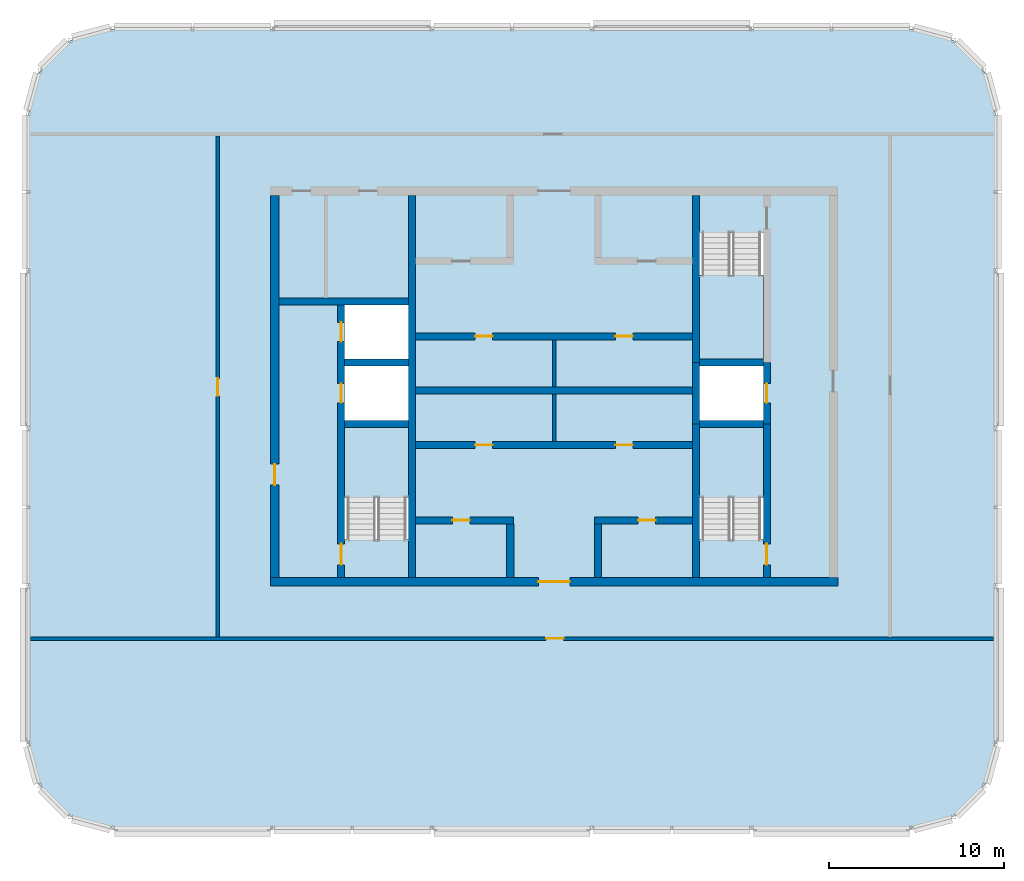
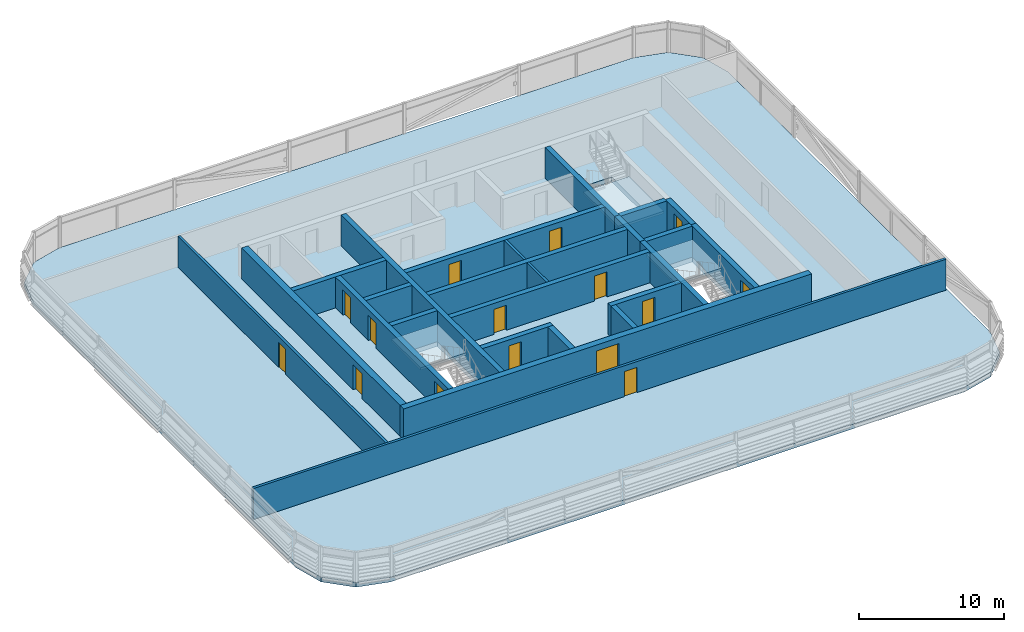
# One storey, part 15 of 27: 25 walls, 15 doors, 4 slabs, 15 openings, 3 elements without a shape of their own.
"""IFC4 building model written with IfcOpenShell, lengths in metres."""

import ifcopenshell
import ifcopenshell.guid

model = None  # the IFC model being written
_history = None  # IfcOwnerHistory: only IFC2X3 demands one
_inside = {}  # id of a spatial element -> (the spatial element, [elements in it])
_under = {}  # id of a project, library or spatial element -> (it, [spatial elements below it])
_declared = {}  # id of a project -> (the project, [libraries it declares])
_typed = {}  # id of a type object -> (the type object, [elements of that type])
_made_of = {}  # id of a material, layer set ... -> (it, [elements and type objects made of it])


def new_model(schema):
    """Start an empty IFC model of exactly this schema.

    Asked for "IFC4X3", IfcOpenShell would pick the latest addendum, in which some entities
    have other attributes; the version numbers below select the first issue.
    IFC2X3 requires an IfcOwnerHistory on every rooted entity: one is made here for all.
    """
    global model, _history
    if schema == "IFC4X3":
        model = ifcopenshell.file(schema_version=(4, 3, 0, 0))
    else:
        model = ifcopenshell.file(schema=schema)
    _inside.clear()
    _under.clear()
    _declared.clear()
    _typed.clear()
    _made_of.clear()
    _history = None
    if model.schema == "IFC2X3":
        org = make("IfcOrganization", Name="unknown")
        user = make(
            "IfcPersonAndOrganization",
            ThePerson=make("IfcPerson", FamilyName="unknown"),
            TheOrganization=org,
        )
        app = make(
            "IfcApplication",
            ApplicationDeveloper=org,
            Version="unknown",
            ApplicationFullName="unknown",
            ApplicationIdentifier="unknown",
        )
        _history = make(
            "IfcOwnerHistory",
            OwningUser=user,
            OwningApplication=app,
            ChangeAction="ADDED",
            CreationDate=0,
        )
    return model


def make(cls, **values):
    """One entity of the class cls with the attributes given. An attribute that is None is left unset."""
    return model.create_entity(
        cls, **{name: value for name, value in values.items() if value is not None}
    )


def rooted(cls, **values):
    """An entity with a GlobalId (a new one), such as an element, a storey or a relation."""
    return make(cls, GlobalId=ifcopenshell.guid.new(), OwnerHistory=_history, **values)


def si_unit(unit_type, name, prefix=None):
    """IfcSIUnit, for example si_unit("LENGTHUNIT", "METRE", prefix="MILLI")."""
    return make("IfcSIUnit", UnitType=unit_type, Prefix=prefix, Name=name)


def assignment(units):
    """IfcUnitAssignment: the units of a project."""
    return None if units is None else make("IfcUnitAssignment", Units=units)


def point(xyz):
    """IfcCartesianPoint."""
    return None if xyz is None else make("IfcCartesianPoint", Coordinates=xyz)


def direction(xyz):
    """IfcDirection."""
    return None if xyz is None else make("IfcDirection", DirectionRatios=xyz)


def frame(location, z_axis=None, x_axis=None):
    """IfcAxis2Placement3D, a coordinate frame: its origin and axes. An axis left out is left unset."""
    return make(
        "IfcAxis2Placement3D",
        Location=point(location),
        Axis=direction(z_axis),
        RefDirection=direction(x_axis),
    )


def frame_2d(location, x_axis=None):
    """IfcAxis2Placement2D, a coordinate frame in the plane: its origin and x axis."""
    return make(
        "IfcAxis2Placement2D", Location=point(location), RefDirection=direction(x_axis)
    )


def origin():
    """The frame at (0, 0, 0) with its axes left unset."""
    return frame((0.0, 0.0, 0.0))


def place(relative_to, where):
    """IfcLocalPlacement: puts the frame where relative to a parent placement (None: the world)."""
    return make(
        "IfcLocalPlacement", PlacementRelTo=relative_to, RelativePlacement=where
    )


def context(
    kind, dimensions, precision=None, world=None, true_north=None, identifier=None
):
    """IfcGeometricRepresentationContext, for example the 3D "Model" context."""
    return make(
        "IfcGeometricRepresentationContext",
        ContextIdentifier=identifier,
        ContextType=kind,
        CoordinateSpaceDimension=dimensions,
        Precision=precision,
        WorldCoordinateSystem=world,
        TrueNorth=true_north,
    )


def subcontext(parent, identifier, kind, view, scale=None):
    """IfcGeometricRepresentationSubContext, for example "Body" below "Model"."""
    return make(
        "IfcGeometricRepresentationSubContext",
        ContextIdentifier=identifier,
        ContextType=kind,
        ParentContext=parent,
        TargetScale=scale,
        TargetView=view,
    )


def project(units=None, contexts=None):
    """IfcProject with its units and contexts."""
    return rooted(
        "IfcProject",
        Name="project",
        RepresentationContexts=contexts,
        UnitsInContext=assignment(units),
    )


def spatial(cls, under=None, at=None, **own):
    """A site, building, storey or space (cls), placed at a placement, below another one or the project."""
    s = rooted(cls, ObjectPlacement=at, **own)
    if under is not None:
        _under.setdefault(under.id(), (under, []))[1].append(s)
    return s


def polyline(points):
    """IfcPolyline through the points."""
    return make("IfcPolyline", Points=[point(p) for p in points])


def profile(cls, at=None, kind="AREA", **sizes):
    """A parametric profile (cls). Its sizes go by their IFC names, for example OverallWidth=200.0."""
    return make(cls, ProfileType=kind, Position=at, **sizes)


def rectangle(**sizes):
    """IfcRectangleProfileDef."""
    return profile("IfcRectangleProfileDef", **sizes)


def outline(outer, holes=None, kind="AREA"):
    """IfcArbitraryClosedProfileDef: a profile drawn as a closed curve; with holes, ...WithVoids."""
    if holes is None:
        return make("IfcArbitraryClosedProfileDef", ProfileType=kind, OuterCurve=outer)
    return make(
        "IfcArbitraryProfileDefWithVoids",
        ProfileType=kind,
        OuterCurve=outer,
        InnerCurves=holes,
    )


def extrude(swept, where, along, depth):
    """IfcExtrudedAreaSolid: the profile swept, set in the frame where, extruded along a direction by depth."""
    return make(
        "IfcExtrudedAreaSolid",
        SweptArea=swept,
        Position=where,
        ExtrudedDirection=direction(along),
        Depth=depth,
    )


def shape(context_of_items, identifier, shape_type, items):
    """IfcShapeRepresentation: the items that make up one representation, for example the "Body"."""
    return make(
        "IfcShapeRepresentation",
        ContextOfItems=context_of_items,
        RepresentationIdentifier=identifier,
        RepresentationType=shape_type,
        Items=items,
    )


def material(Name=None, Category=None):
    """IfcMaterial."""
    return make("IfcMaterial", Name=Name, Category=Category)


def layer(
    of_material, thickness, ventilated=None, Name=None, Category=None, Priority=None
):
    """IfcMaterialLayer: one layer of a wall or slab, of a material (None: an air gap)."""
    return make(
        "IfcMaterialLayer",
        Material=of_material,
        LayerThickness=thickness,
        IsVentilated=ventilated,
        Name=Name,
        Category=Category,
        Priority=Priority,
    )


def layer_set(layers, Name=None):
    """IfcMaterialLayerSet."""
    return make("IfcMaterialLayerSet", MaterialLayers=layers, LayerSetName=Name)


def made_of(thing, what):
    """Note that an element or type object is made of a material, layer set ...; save() writes the relation."""
    if what is not None:
        _made_of.setdefault(what.id(), (what, []))[1].append(thing)
    return thing


def type_object(cls, material=None, **own):
    """A type object (cls), such as IfcWallType, which elements share."""
    return made_of(rooted(cls, **own), material)


def element(
    cls,
    number,
    at=None,
    inside=None,
    cuts=None,
    type_object=None,
    material=None,
    context=None,
    identifier="Body",
    shape_type=None,
    held_by="IfcProductDefinitionShape",
    body=None,
    shapes=None,
    **own,
):
    """One element of the class cls, such as IfcWall. Its Tag is "e" and its number.

    at: its placement. inside: the storey or other place that contains it. cuts: it is an
    opening in that element (IfcRelVoidsElement). A single representation is given by context,
    identifier, shape_type and body (its items); several are given by shapes. held_by: the class
    of the entity that holds the representations. save() writes the other relations.
    """
    e = rooted(cls, Tag="e%d" % number, ObjectPlacement=at, **own)
    if body is not None:
        shapes = [shape(context, identifier, shape_type, body)]
    if shapes is not None:
        e.Representation = make(held_by, Representations=shapes)
    if inside is not None:
        _inside.setdefault(inside.id(), (inside, []))[1].append(e)
    if cuts is not None:
        rooted(
            "IfcRelVoidsElement", RelatingBuildingElement=cuts, RelatedOpeningElement=e
        )
    if type_object is not None:
        _typed.setdefault(type_object.id(), (type_object, []))[1].append(e)
    return made_of(e, material)


def fill(opening, filler):
    """IfcRelFillsElement: the door or window that sits in an opening."""
    return rooted(
        "IfcRelFillsElement",
        RelatingOpeningElement=opening,
        RelatedBuildingElement=filler,
    )


def aggregate(whole, parts):
    """IfcRelAggregates: a whole, such as a stair, and the parts it consists of."""
    return rooted("IfcRelAggregates", RelatingObject=whole, RelatedObjects=parts)


def save(model, path):
    """Write the relations noted so far, then the file.

    IfcRelAggregates (storeys below a building ...), IfcRelContainedInSpatialStructure (elements
    in a storey), IfcRelDefinesByType, IfcRelAssociatesMaterial and IfcRelDeclares: one each for
    every whole, place, type object, material and project.
    """
    for whole, parts in _under.values():
        aggregate(whole, parts)
    for where, things in _inside.values():
        rooted(
            "IfcRelContainedInSpatialStructure",
            RelatedElements=things,
            RelatingStructure=where,
        )
    for kind, things in _typed.values():
        rooted("IfcRelDefinesByType", RelatedObjects=things, RelatingType=kind)
    for what, things in _made_of.values():
        rooted("IfcRelAssociatesMaterial", RelatedObjects=things, RelatingMaterial=what)
    for by, libraries in _declared.values():
        rooted("IfcRelDeclares", RelatingContext=by, RelatedDefinitions=libraries)
    model.write(path)


model = new_model("IFC4")

# Units and contexts
model_context = context("Model", 3, precision=1e-05, world=origin(), true_north=direction((0.0, 1.0)))
body_context = subcontext(model_context, "Body", "Model", "MODEL_VIEW")
ifc_project = project(units=[si_unit("LENGTHUNIT", "METRE"), si_unit("AREAUNIT", "SQUARE_METRE"), si_unit("VOLUMEUNIT", "CUBIC_METRE"), si_unit("PLANEANGLEUNIT", "RADIAN"), si_unit("MASSUNIT", "GRAM", prefix="KILO")], contexts=[model_context])

# Site, building, storey
site_placement = place(None, origin())
site = spatial("IfcSite", under=ifc_project, at=site_placement, CompositionType="ELEMENT")
building_placement = place(site_placement, origin())
building = spatial("IfcBuilding", under=site, at=building_placement, Name="Madar Terraces", CompositionType="ELEMENT")
storey_placement = place(building_placement, frame((0.0, 0.0, 314.300048828125)))
storey = spatial("IfcBuildingStorey", under=building, at=storey_placement, Name="L81", CompositionType="ELEMENT", Elevation=314.300048828125)

# Slab
ifc_material_1 = material(Name="Concrete C50/60", Category="concrete")
ifc_layer_1 = layer(ifc_material_1, 0.39990234375)
ifc_layer_set_1 = layer_set([ifc_layer_1], Name="FS6 PT flat slab 400")
slab_type_1 = type_object("IfcSlabType", Name="FS6 PT flat slab 400", PredefinedType="FLOOR", material=ifc_layer_set_1)
slab_1_placement = place(storey_placement, frame((0.0, 0.0, -0.400146484375)))
element("IfcSlab", 1, at=slab_1_placement, inside=storey, type_object=slab_type_1, Name="Floor slab L81 (1)", PredefinedType="FLOOR", context=body_context, shape_type="SweptSolid", body=[
    extrude(outline(polyline([(51.60009765625, 1.199951171875), (54.0, 1.843017578125), (55.7568359375, 3.60009765625), (56.39990234375, 6.0), (56.39990234375, 42.0), (55.7568359375, 44.39990234375), (54.0, 46.156982421875), (51.60009765625, 46.800048828125), (6.0, 46.800048828125), (3.60009765625, 46.156982421875), (1.843017578125, 44.39990234375), (1.199951171875, 42.0), (1.199951171875, 6.0), (1.843017578125, 3.60009765625), (3.60009765625, 1.843017578125), (6.0, 1.199951171875), (51.60009765625, 1.199951171875)]), holes=[polyline([(22.89990234375, 24.050048828125), (22.89990234375, 17.64990234375), (19.25, 17.64990234375), (19.25, 24.050048828125), (22.89990234375, 24.050048828125)]), polyline([(43.14990234375, 17.64990234375), (39.5, 17.64990234375), (39.5, 24.050048828125), (43.14990234375, 24.050048828125), (43.14990234375, 17.64990234375)]), polyline([(22.89990234375, 24.449951171875), (19.25, 24.449951171875), (19.25, 27.550048828125), (22.89990234375, 27.550048828125), (22.89990234375, 24.449951171875)]), polyline([(43.14990234375, 27.550048828125), (43.14990234375, 24.449951171875), (39.5, 24.449951171875), (39.5, 27.550048828125), (43.14990234375, 27.550048828125)]), polyline([(22.89990234375, 27.949951171875), (19.25, 27.949951171875), (19.25, 31.050048828125), (22.89990234375, 31.050048828125), (22.89990234375, 27.949951171875)]), polyline([(43.14990234375, 27.949951171875), (39.5, 27.949951171875), (39.5, 35.14990234375), (43.14990234375, 35.14990234375), (43.14990234375, 27.949951171875)])]), origin(), (0.0, 0.0, 1.0), 0.400146484375),
])

# Stair, slab
ifc_material_2 = material(Name="Concrete C50/60", Category="concrete")
stair_type_1 = type_object("IfcStairType", Name="Stair ST1 protected exit", PredefinedType="HALF_TURN_STAIR", material=ifc_material_2)
stair_1_placement = place(storey_placement, origin())
stair_1 = element("IfcStair", 2, at=stair_1_placement, inside=storey, type_object=stair_type_1, Name="L81 Protected Exit Stair ST1", PredefinedType="HALF_TURN_STAIR")
ifc_material_3 = material(Name="Concrete C50/60", Category="concrete")
ifc_layer_2 = layer(ifc_material_3, 0.199951171875)
ifc_layer_set_2 = layer_set([ifc_layer_2], Name="Stair landing 200, top +1.50")
slab_type_2 = type_object("IfcSlabType", Name="Stair landing 200, top +1.50", PredefinedType="LANDING", material=ifc_layer_set_2)
slab_2_placement = place(storey_placement, frame((0.0, 0.0, 1.300048828125)))
slab_2 = element("IfcSlab", 3, at=slab_2_placement, type_object=slab_type_2, Name="ST1 landing 1", PredefinedType="LANDING", context=body_context, shape_type="SweptSolid", body=[
    extrude(outline(polyline([(19.25, 20.050048828125), (22.89990234375, 20.050048828125), (22.89990234375, 24.050048828125), (19.25, 24.050048828125), (19.25, 20.050048828125)])), origin(), (0.0, 0.0, 1.0), 0.199951171875),
])
aggregate(stair_1, [slab_2])

ifc_material_4 = material(Name="Concrete C50/60", Category="concrete")
stair_type_2 = type_object("IfcStairType", Name="Stair ST2 protected exit", PredefinedType="HALF_TURN_STAIR", material=ifc_material_4)
stair_2_placement = place(storey_placement, origin())
stair_2 = element("IfcStair", 4, at=stair_2_placement, inside=storey, type_object=stair_type_2, Name="L81 Protected Exit Stair ST2", PredefinedType="HALF_TURN_STAIR")
slab_3_placement = place(storey_placement, frame((0.0, 0.0, 1.300048828125)))
slab_3 = element("IfcSlab", 5, at=slab_3_placement, type_object=slab_type_2, Name="ST2 landing 1", PredefinedType="LANDING", context=body_context, shape_type="SweptSolid", body=[
    extrude(outline(polyline([(39.5, 27.949951171875), (43.14990234375, 27.949951171875), (43.14990234375, 32.75), (39.5, 32.75), (39.5, 27.949951171875)])), origin(), (0.0, 0.0, 1.0), 0.199951171875),
])
aggregate(stair_2, [slab_3])

ifc_material_5 = material(Name="Concrete C50/60", Category="concrete")
stair_type_3 = type_object("IfcStairType", Name="Stair ST3 protected exit", PredefinedType="HALF_TURN_STAIR", material=ifc_material_5)
stair_3_placement = place(storey_placement, origin())
stair_3 = element("IfcStair", 6, at=stair_3_placement, inside=storey, type_object=stair_type_3, Name="L81 Protected Exit Stair ST3", PredefinedType="HALF_TURN_STAIR")
slab_4_placement = place(storey_placement, frame((0.0, 0.0, 1.300048828125)))
slab_4 = element("IfcSlab", 7, at=slab_4_placement, type_object=slab_type_2, Name="ST3 landing 1", PredefinedType="LANDING", context=body_context, shape_type="SweptSolid", body=[
    extrude(outline(polyline([(39.5, 20.050048828125), (43.14990234375, 20.050048828125), (43.14990234375, 24.050048828125), (39.5, 24.050048828125), (39.5, 20.050048828125)])), origin(), (0.0, 0.0, 1.0), 0.199951171875),
])
aggregate(stair_3, [slab_4])

# Wall, openings, doors
ifc_material_6 = material(Name="Concrete C50/60", Category="concrete")
ifc_layer_3 = layer(ifc_material_6, 0.39990234375)
ifc_layer_set_3 = layer_set([ifc_layer_3], Name="Concrete C50/60 (CIW6 RC wall 400)")
wall_type_1 = type_object("IfcWallType", Name="CIW6 RC wall 400", PredefinedType="SHEAR", material=ifc_layer_set_3)
wall_1_placement = place(storey_placement, frame((19.050048828125, 15.5, 0.0), z_axis=(0.0, 0.0, 1.0), x_axis=(0.0, 1.0, 0.0)))
wall_1 = element("IfcWall", 8, at=wall_1_placement, inside=storey, type_object=wall_type_1, Name="CORE SHAFT WALL", PredefinedType="SHEAR", context=body_context, shape_type="SweptSolid", body=[
    extrude(rectangle(XDim=15.550048828125, YDim=0.39990234375, at=frame_2d((7.77490234375, 0.0))), origin(), (0.0, 0.0, 1.0), 2.599853515625),
])
opening_1_placement = place(wall_1_placement, frame((9.949951171875, 0.0, 0.0)))
opening_1 = element("IfcOpeningElement", 9, at=opening_1_placement, cuts=wall_1, Name="Opening LD", PredefinedType="OPENING", context=body_context, shape_type="SweptSolid", body=[
    extrude(rectangle(XDim=1.10009765625, YDim=2.10009765625, at=frame_2d((0.550048828125, 1.050048828125))), frame((0.0, 0.2099609375, 0.0), z_axis=(0.0, -1.0, 0.0), x_axis=(1.0, 0.0, 0.0)), (0.0, 0.0, 1.0), 0.419921875),
])
opening_2_placement = place(wall_1_placement, frame((13.449951171875, 0.0, 0.0)))
opening_2 = element("IfcOpeningElement", 10, at=opening_2_placement, cuts=wall_1, Name="Opening LD", PredefinedType="OPENING", context=body_context, shape_type="SweptSolid", body=[
    extrude(rectangle(XDim=1.10009765625, YDim=2.10009765625, at=frame_2d((0.550048828125, 1.050048828125))), frame((0.0, 0.2099609375, 0.0), z_axis=(0.0, -1.0, 0.0), x_axis=(1.0, 0.0, 0.0)), (0.0, 0.0, 1.0), 0.419921875),
])
opening_3_placement = place(wall_1_placement, frame((0.699951171875, 0.0, 0.0)))
opening_3 = element("IfcOpeningElement", 11, at=opening_3_placement, cuts=wall_1, Name="Opening SD1", PredefinedType="OPENING", context=body_context, shape_type="SweptSolid", body=[
    extrude(rectangle(XDim=1.199951171875, YDim=2.10009765625, at=frame_2d((0.60009765625, 1.050048828125))), frame((0.0, 0.2099609375, 0.0), z_axis=(0.0, -1.0, 0.0), x_axis=(1.0, 0.0, 0.0)), (0.0, 0.0, 1.0), 0.419921875),
])
ifc_material_7 = material(Name="Stainless steel panel", Category="steel")
door_type_1 = type_object("IfcDoorType", Name="Lift landing door 1100 x 2100", OperationType="DOUBLE_DOOR_SLIDING", PredefinedType="DOOR", material=ifc_material_7)
door_1_placement = place(opening_1_placement, origin())
door_1 = element("IfcDoor", 12, at=door_1_placement, inside=storey, type_object=door_type_1, Name="LIFT LANDING DOOR", OperationType="DOUBLE_DOOR_SLIDING", OverallHeight=2.10009765625, OverallWidth=1.10009765625, PredefinedType="DOOR", context=body_context, shape_type="SweptSolid", body=[
    extrude(rectangle(XDim=1.10009765625, YDim=2.10009765625, at=frame_2d((0.550048828125, 1.050048828125))), frame((0.0, 0.02490234375, 0.0), z_axis=(0.0, -1.0, 0.0), x_axis=(1.0, 0.0, 0.0)), (0.0, 0.0, 1.0), 0.050048828125),
])
fill(opening_1, door_1)
door_2_placement = place(opening_2_placement, origin())
door_2 = element("IfcDoor", 13, at=door_2_placement, inside=storey, type_object=door_type_1, Name="LIFT LANDING DOOR", OperationType="DOUBLE_DOOR_SLIDING", OverallHeight=2.10009765625, OverallWidth=1.10009765625, PredefinedType="DOOR", context=body_context, shape_type="SweptSolid", body=[
    extrude(rectangle(XDim=1.10009765625, YDim=2.10009765625, at=frame_2d((0.550048828125, 1.050048828125))), frame((0.0, 0.02490234375, 0.0), z_axis=(0.0, -1.0, 0.0), x_axis=(1.0, 0.0, 0.0)), (0.0, 0.0, 1.0), 0.050048828125),
])
fill(opening_2, door_2)
ifc_material_8 = material(Name="Steel door leaf", Category="steel")
door_type_2 = type_object("IfcDoorType", Name="Stair door 1200 x 2100", OperationType="NOTDEFINED", PredefinedType="DOOR", material=ifc_material_8)
door_3_placement = place(opening_3_placement, frame((1.199951171875, 0.0, 0.0), z_axis=(0.0, 0.0, 1.0), x_axis=(-1.0, 0.0, 0.0)))
door_3 = element("IfcDoor", 14, at=door_3_placement, inside=storey, type_object=door_type_2, Name="STAIR DOOR", OperationType="SINGLE_SWING_LEFT", OverallHeight=2.10009765625, OverallWidth=1.199951171875, PredefinedType="DOOR", context=body_context, shape_type="SweptSolid", body=[
    extrude(rectangle(XDim=1.199951171875, YDim=2.10009765625, at=frame_2d((0.60009765625, 1.050048828125))), frame((0.0, 0.02490234375, 0.0), z_axis=(0.0, -1.0, 0.0), x_axis=(1.0, 0.0, 0.0)), (0.0, 0.0, 1.0), 0.050048828125),
])
fill(opening_3, door_3)

# Walls
wall_2_placement = place(storey_placement, frame((23.10009765625, 15.5, 0.0), z_axis=(0.0, 0.0, 1.0), x_axis=(0.0, 1.0, 0.0)))
element("IfcWall", 15, at=wall_2_placement, inside=storey, type_object=wall_type_1, Name="CORE SHAFT WALL", PredefinedType="SHEAR", context=body_context, shape_type="SweptSolid", body=[
    extrude(rectangle(XDim=21.800048828125, YDim=0.39990234375, at=frame_2d((10.89990234375, 0.0))), origin(), (0.0, 0.0, 1.0), 2.599853515625),
])
wall_3_placement = place(storey_placement, frame((39.300048828125, 15.5, 0.0), z_axis=(0.0, 0.0, 1.0), x_axis=(0.0, 1.0, 0.0)))
element("IfcWall", 16, at=wall_3_placement, inside=storey, type_object=wall_type_1, Name="CORE SHAFT WALL", PredefinedType="SHEAR", context=body_context, shape_type="SweptSolid", body=[
    extrude(rectangle(XDim=8.75, YDim=0.39990234375, at=frame_2d((4.375, 0.0))), origin(), (0.0, 0.0, 1.0), 2.599853515625),
])
wall_4_placement = place(storey_placement, frame((39.300048828125, 24.25, 0.0), z_axis=(0.0, 0.0, 1.0), x_axis=(0.0, 1.0, 0.0)))
element("IfcWall", 17, at=wall_4_placement, inside=storey, type_object=wall_type_1, Name="CORE SHAFT WALL", PredefinedType="SHEAR", context=body_context, shape_type="SweptSolid", body=[
    extrude(rectangle(XDim=3.5, YDim=0.39990234375, at=frame_2d((1.75, 0.0))), origin(), (0.0, 0.0, 1.0), 2.599853515625),
])
wall_5_placement = place(storey_placement, frame((39.300048828125, 27.75, 0.0), z_axis=(0.0, 0.0, 1.0), x_axis=(0.0, 1.0, 0.0)))
element("IfcWall", 18, at=wall_5_placement, inside=storey, type_object=wall_type_1, Name="CORE SHAFT WALL", PredefinedType="SHEAR", context=body_context, shape_type="SweptSolid", body=[
    extrude(rectangle(XDim=9.550048828125, YDim=0.39990234375, at=frame_2d((4.77490234375, 0.0))), origin(), (0.0, 0.0, 1.0), 2.599853515625),
])

# Wall, opening, door
wall_6_placement = place(storey_placement, frame((43.35009765625, 15.5, 0.0), z_axis=(0.0, 0.0, 1.0), x_axis=(0.0, 1.0, 0.0)))
wall_6 = element("IfcWall", 19, at=wall_6_placement, inside=storey, type_object=wall_type_1, Name="CORE SHAFT WALL", PredefinedType="SHEAR", context=body_context, shape_type="SweptSolid", body=[
    extrude(rectangle(XDim=8.75, YDim=0.39990234375, at=frame_2d((4.375, 0.0))), origin(), (0.0, 0.0, 1.0), 2.599853515625),
])
opening_4_placement = place(wall_6_placement, frame((0.699951171875, 0.0, 0.0)))
opening_4 = element("IfcOpeningElement", 20, at=opening_4_placement, cuts=wall_6, Name="Opening SD1", PredefinedType="OPENING", context=body_context, shape_type="SweptSolid", body=[
    extrude(rectangle(XDim=1.199951171875, YDim=2.10009765625, at=frame_2d((0.60009765625, 1.050048828125))), frame((0.0, 0.2099609375, 0.0), z_axis=(0.0, -1.0, 0.0), x_axis=(1.0, 0.0, 0.0)), (0.0, 0.0, 1.0), 0.419921875),
])
door_4_placement = place(opening_4_placement, origin())
door_4 = element("IfcDoor", 21, at=door_4_placement, inside=storey, type_object=door_type_2, Name="STAIR DOOR", OperationType="SINGLE_SWING_RIGHT", OverallHeight=2.10009765625, OverallWidth=1.199951171875, PredefinedType="DOOR", context=body_context, shape_type="SweptSolid", body=[
    extrude(rectangle(XDim=1.199951171875, YDim=2.10009765625, at=frame_2d((0.60009765625, 1.050048828125))), frame((0.0, 0.02490234375, 0.0), z_axis=(0.0, -1.0, 0.0), x_axis=(1.0, 0.0, 0.0)), (0.0, 0.0, 1.0), 0.050048828125),
])
fill(opening_4, door_4)

wall_7_placement = place(storey_placement, frame((43.35009765625, 24.25, 0.0), z_axis=(0.0, 0.0, 1.0), x_axis=(0.0, 1.0, 0.0)))
wall_7 = element("IfcWall", 22, at=wall_7_placement, inside=storey, type_object=wall_type_1, Name="CORE SHAFT WALL", PredefinedType="SHEAR", context=body_context, shape_type="SweptSolid", body=[
    extrude(rectangle(XDim=3.5, YDim=0.39990234375, at=frame_2d((1.75, 0.0))), origin(), (0.0, 0.0, 1.0), 2.599853515625),
])
opening_5_placement = place(wall_7_placement, frame((1.199951171875, 0.0, 0.0)))
opening_5 = element("IfcOpeningElement", 23, at=opening_5_placement, cuts=wall_7, Name="Opening LD", PredefinedType="OPENING", context=body_context, shape_type="SweptSolid", body=[
    extrude(rectangle(XDim=1.10009765625, YDim=2.10009765625, at=frame_2d((0.550048828125, 1.050048828125))), frame((0.0, 0.2099609375, 0.0), z_axis=(0.0, -1.0, 0.0), x_axis=(1.0, 0.0, 0.0)), (0.0, 0.0, 1.0), 0.419921875),
])
door_5_placement = place(opening_5_placement, origin())
door_5 = element("IfcDoor", 24, at=door_5_placement, inside=storey, type_object=door_type_1, Name="LIFT LANDING DOOR", OperationType="DOUBLE_DOOR_SLIDING", OverallHeight=2.10009765625, OverallWidth=1.10009765625, PredefinedType="DOOR", context=body_context, shape_type="SweptSolid", body=[
    extrude(rectangle(XDim=1.10009765625, YDim=2.10009765625, at=frame_2d((0.550048828125, 1.050048828125))), frame((0.0, 0.02490234375, 0.0), z_axis=(0.0, -1.0, 0.0), x_axis=(1.0, 0.0, 0.0)), (0.0, 0.0, 1.0), 0.050048828125),
])
fill(opening_5, door_5)

# Walls
for number, where, z_axis, x_axis, name in (
    (25, (19.25, 24.25, 0.0), (0.0, 0.0, 1.0), (1.0, 0.0, 0.0), "CORE SHAFT WALL"),
    (26, (19.25, 27.75, 0.0), (0.0, 0.0, 1.0), (1.0, 0.0, 0.0), "CORE SHAFT WALL"),
):
    element("IfcWall", number, at=place(storey_placement, frame(where, z_axis=z_axis, x_axis=x_axis)), inside=storey, type_object=wall_type_1, Name=name, PredefinedType="SHEAR", context=body_context, shape_type="SweptSolid", body=[
        extrude(rectangle(XDim=3.64990234375, YDim=0.39990234375, at=frame_2d((1.824951171875, 0.0))), origin(), (0.0, 0.0, 1.0), 2.599853515625),
    ])
wall_8_placement = place(storey_placement, frame((15.5, 31.25, 0.0), z_axis=(0.0, 0.0, 1.0), x_axis=(1.0, 0.0, 0.0)))
element("IfcWall", 27, at=wall_8_placement, inside=storey, type_object=wall_type_1, Name="CORE SHAFT WALL", PredefinedType="SHEAR", context=body_context, shape_type="SweptSolid", body=[
    extrude(rectangle(XDim=7.39990234375, YDim=0.39990234375, at=frame_2d((3.699951171875, 0.0))), origin(), (0.0, 0.0, 1.0), 2.599853515625),
])
for number, where, z_axis, x_axis, name in (
    (28, (39.5, 24.25, 0.0), (0.0, 0.0, 1.0), (1.0, 0.0, 0.0), "CORE SHAFT WALL"),
    (29, (39.5, 27.75, 0.0), (0.0, 0.0, 1.0), (1.0, 0.0, 0.0), "CORE SHAFT WALL"),
):
    element("IfcWall", number, at=place(storey_placement, frame(where, z_axis=z_axis, x_axis=x_axis)), inside=storey, type_object=wall_type_1, Name=name, PredefinedType="SHEAR", context=body_context, shape_type="SweptSolid", body=[
        extrude(rectangle(XDim=3.64990234375, YDim=0.39990234375, at=frame_2d((1.824951171875, 0.0))), origin(), (0.0, 0.0, 1.0), 2.599853515625),
    ])

# Wall, opening, door
wall_9_placement = place(storey_placement, frame((23.300048828125, 18.75, 0.0), z_axis=(0.0, 0.0, 1.0), x_axis=(1.0, 0.0, 0.0)))
wall_9 = element("IfcWall", 30, at=wall_9_placement, inside=storey, type_object=wall_type_1, Name="CORE SHAFT WALL", PredefinedType="SHEAR", context=body_context, shape_type="SweptSolid", body=[
    extrude(rectangle(XDim=5.599853515625, YDim=0.39990234375, at=frame_2d((2.7998046875, 0.0))), origin(), (0.0, 0.0, 1.0), 2.599853515625),
])
opening_6_placement = place(wall_9_placement, frame((2.10009765625, 0.0, 0.0)))
opening_6 = element("IfcOpeningElement", 31, at=opening_6_placement, cuts=wall_9, Name="Opening KD2", PredefinedType="OPENING", context=body_context, shape_type="SweptSolid", body=[
    extrude(rectangle(XDim=1.0, YDim=2.10009765625, at=frame_2d((0.5, 1.050048828125))), frame((0.0, 0.2099609375, 0.0), z_axis=(0.0, -1.0, 0.0), x_axis=(1.0, 0.0, 0.0)), (0.0, 0.0, 1.0), 0.419921875),
])
ifc_material_9 = material(Name="Steel door leaf", Category="steel")
door_type_3 = type_object("IfcDoorType", Name="Service room door 1000 x 2100", OperationType="NOTDEFINED", PredefinedType="DOOR", material=ifc_material_9)
door_6_placement = place(opening_6_placement, origin())
door_6 = element("IfcDoor", 32, at=door_6_placement, inside=storey, type_object=door_type_3, Name="SERVICE ROOM DOOR", OperationType="SINGLE_SWING_RIGHT", OverallHeight=2.10009765625, OverallWidth=1.0, PredefinedType="DOOR", context=body_context, shape_type="SweptSolid", body=[
    extrude(rectangle(XDim=1.0, YDim=2.10009765625, at=frame_2d((0.5, 1.050048828125))), frame((0.0, 0.02490234375, 0.0), z_axis=(0.0, -1.0, 0.0), x_axis=(1.0, 0.0, 0.0)), (0.0, 0.0, 1.0), 0.050048828125),
])
fill(opening_6, door_6)

wall_10_placement = place(storey_placement, frame((33.5, 18.75, 0.0), z_axis=(0.0, 0.0, 1.0), x_axis=(1.0, 0.0, 0.0)))
wall_10 = element("IfcWall", 33, at=wall_10_placement, inside=storey, type_object=wall_type_1, Name="CORE SHAFT WALL", PredefinedType="SHEAR", context=body_context, shape_type="SweptSolid", body=[
    extrude(rectangle(XDim=5.60009765625, YDim=0.39990234375, at=frame_2d((2.800048828125, 0.0))), origin(), (0.0, 0.0, 1.0), 2.599853515625),
])
opening_7_placement = place(wall_10_placement, frame((2.5, 0.0, 0.0)))
opening_7 = element("IfcOpeningElement", 34, at=opening_7_placement, cuts=wall_10, Name="Opening KD2", PredefinedType="OPENING", context=body_context, shape_type="SweptSolid", body=[
    extrude(rectangle(XDim=1.0, YDim=2.10009765625, at=frame_2d((0.5, 1.050048828125))), frame((0.0, 0.2099609375, 0.0), z_axis=(0.0, -1.0, 0.0), x_axis=(1.0, 0.0, 0.0)), (0.0, 0.0, 1.0), 0.419921875),
])
door_7_placement = place(opening_7_placement, origin())
door_7 = element("IfcDoor", 35, at=door_7_placement, inside=storey, type_object=door_type_3, Name="SERVICE ROOM DOOR", OperationType="SINGLE_SWING_LEFT", OverallHeight=2.10009765625, OverallWidth=1.0, PredefinedType="DOOR", context=body_context, shape_type="SweptSolid", body=[
    extrude(rectangle(XDim=1.0, YDim=2.10009765625, at=frame_2d((0.5, 1.050048828125))), frame((0.0, 0.02490234375, 0.0), z_axis=(0.0, -1.0, 0.0), x_axis=(1.0, 0.0, 0.0)), (0.0, 0.0, 1.0), 0.050048828125),
])
fill(opening_7, door_7)

# Wall, openings, doors
wall_11_placement = place(storey_placement, frame((23.300048828125, 23.050048828125, 0.0), z_axis=(0.0, 0.0, 1.0), x_axis=(1.0, 0.0, 0.0)))
wall_11 = element("IfcWall", 36, at=wall_11_placement, inside=storey, type_object=wall_type_1, Name="CORE SHAFT WALL", PredefinedType="SHEAR", context=body_context, shape_type="SweptSolid", body=[
    extrude(rectangle(XDim=15.800048828125, YDim=0.39990234375, at=frame_2d((7.89990234375, 0.0))), origin(), (0.0, 0.0, 1.0), 2.599853515625),
])
opening_8_placement = place(wall_11_placement, frame((3.39990234375, 0.0, 0.0)))
opening_8 = element("IfcOpeningElement", 37, at=opening_8_placement, cuts=wall_11, Name="Opening KD2", PredefinedType="OPENING", context=body_context, shape_type="SweptSolid", body=[
    extrude(rectangle(XDim=1.0, YDim=2.10009765625, at=frame_2d((0.5, 1.050048828125))), frame((0.0, 0.2099609375, 0.0), z_axis=(0.0, -1.0, 0.0), x_axis=(1.0, 0.0, 0.0)), (0.0, 0.0, 1.0), 0.419921875),
])
opening_9_placement = place(wall_11_placement, frame((11.39990234375, 0.0, 0.0)))
opening_9 = element("IfcOpeningElement", 38, at=opening_9_placement, cuts=wall_11, Name="Opening KD2", PredefinedType="OPENING", context=body_context, shape_type="SweptSolid", body=[
    extrude(rectangle(XDim=1.0, YDim=2.10009765625, at=frame_2d((0.5, 1.050048828125))), frame((0.0, 0.2099609375, 0.0), z_axis=(0.0, -1.0, 0.0), x_axis=(1.0, 0.0, 0.0)), (0.0, 0.0, 1.0), 0.419921875),
])
door_8_placement = place(opening_8_placement, frame((1.0, 0.0, 0.0), z_axis=(0.0, 0.0, 1.0), x_axis=(-1.0, 0.0, 0.0)))
door_8 = element("IfcDoor", 39, at=door_8_placement, inside=storey, type_object=door_type_3, Name="SERVICE ROOM DOOR", OperationType="SINGLE_SWING_RIGHT", OverallHeight=2.10009765625, OverallWidth=1.0, PredefinedType="DOOR", context=body_context, shape_type="SweptSolid", body=[
    extrude(rectangle(XDim=1.0, YDim=2.10009765625, at=frame_2d((0.5, 1.050048828125))), frame((0.0, 0.02490234375, 0.0), z_axis=(0.0, -1.0, 0.0), x_axis=(1.0, 0.0, 0.0)), (0.0, 0.0, 1.0), 0.050048828125),
])
fill(opening_8, door_8)
door_9_placement = place(opening_9_placement, frame((1.0, 0.0, 0.0), z_axis=(0.0, 0.0, 1.0), x_axis=(-1.0, 0.0, 0.0)))
door_9 = element("IfcDoor", 40, at=door_9_placement, inside=storey, type_object=door_type_3, Name="SERVICE ROOM DOOR", OperationType="SINGLE_SWING_LEFT", OverallHeight=2.10009765625, OverallWidth=1.0, PredefinedType="DOOR", context=body_context, shape_type="SweptSolid", body=[
    extrude(rectangle(XDim=1.0, YDim=2.10009765625, at=frame_2d((0.5, 1.050048828125))), frame((0.0, 0.02490234375, 0.0), z_axis=(0.0, -1.0, 0.0), x_axis=(1.0, 0.0, 0.0)), (0.0, 0.0, 1.0), 0.050048828125),
])
fill(opening_9, door_9)

# Wall
wall_12_placement = place(storey_placement, frame((23.300048828125, 26.14990234375, 0.0), z_axis=(0.0, 0.0, 1.0), x_axis=(1.0, 0.0, 0.0)))
element("IfcWall", 41, at=wall_12_placement, inside=storey, type_object=wall_type_1, Name="CORE SHAFT WALL", PredefinedType="SHEAR", context=body_context, shape_type="SweptSolid", body=[
    extrude(rectangle(XDim=15.800048828125, YDim=0.39990234375, at=frame_2d((7.89990234375, 0.0))), origin(), (0.0, 0.0, 1.0), 2.599853515625),
])

# Wall, openings, doors
wall_13_placement = place(storey_placement, frame((23.300048828125, 29.25, 0.0), z_axis=(0.0, 0.0, 1.0), x_axis=(1.0, 0.0, 0.0)))
wall_13 = element("IfcWall", 42, at=wall_13_placement, inside=storey, type_object=wall_type_1, Name="CORE SHAFT WALL", PredefinedType="SHEAR", context=body_context, shape_type="SweptSolid", body=[
    extrude(rectangle(XDim=15.800048828125, YDim=0.39990234375, at=frame_2d((7.89990234375, 0.0))), origin(), (0.0, 0.0, 1.0), 2.599853515625),
])
opening_10_placement = place(wall_13_placement, frame((3.39990234375, 0.0, 0.0)))
opening_10 = element("IfcOpeningElement", 43, at=opening_10_placement, cuts=wall_13, Name="Opening KD2", PredefinedType="OPENING", context=body_context, shape_type="SweptSolid", body=[
    extrude(rectangle(XDim=1.0, YDim=2.10009765625, at=frame_2d((0.5, 1.050048828125))), frame((0.0, 0.2099609375, 0.0), z_axis=(0.0, -1.0, 0.0), x_axis=(1.0, 0.0, 0.0)), (0.0, 0.0, 1.0), 0.419921875),
])
opening_11_placement = place(wall_13_placement, frame((11.39990234375, 0.0, 0.0)))
opening_11 = element("IfcOpeningElement", 44, at=opening_11_placement, cuts=wall_13, Name="Opening KD2", PredefinedType="OPENING", context=body_context, shape_type="SweptSolid", body=[
    extrude(rectangle(XDim=1.0, YDim=2.10009765625, at=frame_2d((0.5, 1.050048828125))), frame((0.0, 0.2099609375, 0.0), z_axis=(0.0, -1.0, 0.0), x_axis=(1.0, 0.0, 0.0)), (0.0, 0.0, 1.0), 0.419921875),
])
door_10_placement = place(opening_10_placement, origin())
door_10 = element("IfcDoor", 45, at=door_10_placement, inside=storey, type_object=door_type_3, Name="SERVICE ROOM DOOR", OperationType="SINGLE_SWING_RIGHT", OverallHeight=2.10009765625, OverallWidth=1.0, PredefinedType="DOOR", context=body_context, shape_type="SweptSolid", body=[
    extrude(rectangle(XDim=1.0, YDim=2.10009765625, at=frame_2d((0.5, 1.050048828125))), frame((0.0, 0.02490234375, 0.0), z_axis=(0.0, -1.0, 0.0), x_axis=(1.0, 0.0, 0.0)), (0.0, 0.0, 1.0), 0.050048828125),
])
fill(opening_10, door_10)
door_11_placement = place(opening_11_placement, origin())
door_11 = element("IfcDoor", 46, at=door_11_placement, inside=storey, type_object=door_type_3, Name="SERVICE ROOM DOOR", OperationType="SINGLE_SWING_LEFT", OverallHeight=2.10009765625, OverallWidth=1.0, PredefinedType="DOOR", context=body_context, shape_type="SweptSolid", body=[
    extrude(rectangle(XDim=1.0, YDim=2.10009765625, at=frame_2d((0.5, 1.050048828125))), frame((0.0, 0.02490234375, 0.0), z_axis=(0.0, -1.0, 0.0), x_axis=(1.0, 0.0, 0.0)), (0.0, 0.0, 1.0), 0.050048828125),
])
fill(opening_11, door_11)

# Walls
for number, where, z_axis, x_axis, name in (
    (47, (28.699951171875, 15.5, 0.0), (0.0, 0.0, 1.0), (0.0, 1.0, 0.0), "CORE SHAFT WALL"),
    (48, (33.699951171875, 15.5, 0.0), (0.0, 0.0, 1.0), (0.0, 1.0, 0.0), "CORE SHAFT WALL"),
):
    element("IfcWall", number, at=place(storey_placement, frame(where, z_axis=z_axis, x_axis=x_axis)), inside=storey, type_object=wall_type_1, Name=name, PredefinedType="SHEAR", context=body_context, shape_type="SweptSolid", body=[
        extrude(rectangle(XDim=3.050048828125, YDim=0.39990234375, at=frame_2d((1.52490234375, 0.0))), origin(), (0.0, 0.0, 1.0), 2.599853515625),
    ])

# Wall, opening, door
ifc_material_10 = material(Name="Concrete C50/60", Category="concrete")
ifc_layer_4 = layer(ifc_material_10, 0.5)
ifc_layer_set_4 = layer_set([ifc_layer_4], Name="Concrete C50/60 (CRW6 RC wall 500)")
wall_type_2 = type_object("IfcWallType", Name="CRW6 RC wall 500", PredefinedType="SHEAR", material=ifc_layer_set_4)
wall_14_placement = place(storey_placement, frame((15.0, 15.25, 0.0), z_axis=(0.0, 0.0, 1.0), x_axis=(1.0, 0.0, 0.0)))
wall_14 = element("IfcWall", 49, at=wall_14_placement, inside=storey, type_object=wall_type_2, Name="CORE OUTER WALL", PredefinedType="SHEAR", context=body_context, shape_type="SweptSolid", body=[
    extrude(rectangle(XDim=32.39990234375, YDim=0.5, at=frame_2d((16.199951171875, 0.0))), origin(), (0.0, 0.0, 1.0), 2.599853515625),
])
opening_12_placement = place(wall_14_placement, frame((15.300048828125, 0.0, 0.0)))
opening_12 = element("IfcOpeningElement", 50, at=opening_12_placement, cuts=wall_14, Name="Opening KD1", PredefinedType="OPENING", context=body_context, shape_type="SweptSolid", body=[
    extrude(rectangle(XDim=1.800048828125, YDim=2.10009765625, at=frame_2d((0.89990234375, 1.050048828125))), frame((0.0, 0.260009765625, 0.0), z_axis=(0.0, -1.0, 0.0), x_axis=(1.0, 0.0, 0.0)), (0.0, 0.0, 1.0), 0.52001953125),
])
ifc_material_11 = material(Name="Steel door leaf", Category="steel")
door_type_4 = type_object("IfcDoorType", Name="Lobby door pair 1800 x 2100", OperationType="DOUBLE_DOOR_SINGLE_SWING", PredefinedType="DOOR", material=ifc_material_11)
door_12_placement = place(opening_12_placement, frame((1.800048828125, 0.0, 0.0), z_axis=(0.0, 0.0, 1.0), x_axis=(-1.0, 0.0, 0.0)))
door_12 = element("IfcDoor", 51, at=door_12_placement, inside=storey, type_object=door_type_4, Name="LIFT LOBBY DOOR", OperationType="DOUBLE_DOOR_SINGLE_SWING", OverallHeight=2.10009765625, OverallWidth=1.800048828125, PredefinedType="DOOR", context=body_context, shape_type="SweptSolid", body=[
    extrude(rectangle(XDim=1.800048828125, YDim=2.10009765625, at=frame_2d((0.89990234375, 1.050048828125))), frame((0.0, 0.02490234375, 0.0), z_axis=(0.0, -1.0, 0.0), x_axis=(1.0, 0.0, 0.0)), (0.0, 0.0, 1.0), 0.050048828125),
])
fill(opening_12, door_12)

wall_15_placement = place(storey_placement, frame((15.25, 15.5, 0.0), z_axis=(0.0, 0.0, 1.0), x_axis=(0.0, 1.0, 0.0)))
wall_15 = element("IfcWall", 52, at=wall_15_placement, inside=storey, type_object=wall_type_2, Name="CORE OUTER WALL", PredefinedType="SHEAR", context=body_context, shape_type="SweptSolid", body=[
    extrude(rectangle(XDim=21.800048828125, YDim=0.5, at=frame_2d((10.89990234375, 0.0))), origin(), (0.0, 0.0, 1.0), 2.599853515625),
])
opening_13_placement = place(wall_15_placement, frame((5.260009765625, 0.0, 0.0)))
opening_13 = element("IfcOpeningElement", 53, at=opening_13_placement, cuts=wall_15, Name="Opening SD1", PredefinedType="OPENING", context=body_context, shape_type="SweptSolid", body=[
    extrude(rectangle(XDim=1.199951171875, YDim=2.10009765625, at=frame_2d((0.60009765625, 1.050048828125))), frame((0.0, 0.260009765625, 0.0), z_axis=(0.0, -1.0, 0.0), x_axis=(1.0, 0.0, 0.0)), (0.0, 0.0, 1.0), 0.52001953125),
])
door_13_placement = place(opening_13_placement, frame((1.199951171875, 0.0, 0.0), z_axis=(0.0, 0.0, 1.0), x_axis=(-1.0, 0.0, 0.0)))
door_13 = element("IfcDoor", 54, at=door_13_placement, inside=storey, type_object=door_type_2, Name="STAIR DOOR", OperationType="SINGLE_SWING_RIGHT", OverallHeight=2.10009765625, OverallWidth=1.199951171875, PredefinedType="DOOR", context=body_context, shape_type="SweptSolid", body=[
    extrude(rectangle(XDim=1.199951171875, YDim=2.10009765625, at=frame_2d((0.60009765625, 1.050048828125))), frame((0.0, 0.02490234375, 0.0), z_axis=(0.0, -1.0, 0.0), x_axis=(1.0, 0.0, 0.0)), (0.0, 0.0, 1.0), 0.050048828125),
])
fill(opening_13, door_13)

# Walls
ifc_material_12 = material(Name="Masonry blockwork", Category="masonry")
ifc_layer_5 = layer(ifc_material_12, 0.199951171875)
ifc_layer_set_5 = layer_set([ifc_layer_5], Name="Core partition 200 blockwork")
wall_type_3 = type_object("IfcWallType", Name="Core partition 200 blockwork", PredefinedType="PARTITIONING", material=ifc_layer_set_5)
for number, where, z_axis, x_axis, name in (
    (55, (31.199951171875, 23.25, 0.0), (0.0, 0.0, 1.0), (0.0, 1.0, 0.0), "SERVICE ROOM PARTITION"),
    (56, (31.199951171875, 26.35009765625, 0.0), (0.0, 0.0, 1.0), (0.0, 1.0, 0.0), "SERVICE ROOM PARTITION"),
):
    element("IfcWall", number, at=place(storey_placement, frame(where, z_axis=z_axis, x_axis=x_axis)), inside=storey, type_object=wall_type_3, Name=name, PredefinedType="PARTITIONING", context=body_context, shape_type="SweptSolid", body=[
        extrude(rectangle(XDim=2.699951171875, YDim=0.199951171875, at=frame_2d((1.35009765625, 0.0))), origin(), (0.0, 0.0, 1.0), 2.599853515625),
    ])

# Wall, opening, door
ifc_material_13 = material(Name="Blockwork", Category="masonry")
ifc_layer_6 = layer(ifc_material_13, 0.199951171875)
ifc_layer_set_6 = layer_set([ifc_layer_6], Name="Partition 200 EI 120")
wall_type_4 = type_object("IfcWallType", Name="Partition 200 EI 120", PredefinedType="PARTITIONING", material=ifc_layer_set_6)
wall_16_placement = place(storey_placement, frame((56.300048828125, 12.0, 0.0), z_axis=(0.0, 0.0, 1.0), x_axis=(-1.0, 0.0, 0.0)))
wall_16 = element("IfcWall", 57, at=wall_16_placement, inside=storey, type_object=wall_type_4, Name="Wall BUILDING MAINTENANCE UNIT STORE PLANT ROOM", PredefinedType="PARTITIONING", context=body_context, shape_type="SweptSolid", body=[
    extrude(rectangle(XDim=55.0, YDim=0.199951171875, at=frame_2d((27.5, 0.0))), origin(), (0.0, 0.0, 1.0), 2.599853515625),
])
opening_14_placement = place(wall_16_placement, frame((24.550048828125, 0.0, 0.0)))
opening_14 = element("IfcOpeningElement", 58, at=opening_14_placement, cuts=wall_16, Name="Opening D33", PredefinedType="OPENING", context=body_context, shape_type="SweptSolid", body=[
    extrude(rectangle(XDim=1.0, YDim=2.10009765625, at=frame_2d((0.5, 1.050048828125))), frame((0.0, 0.10986328125, 0.0), z_axis=(0.0, -1.0, 0.0), x_axis=(1.0, 0.0, 0.0)), (0.0, 0.0, 1.0), 0.219970703125),
])
ifc_material_14 = material(Name="Timber door leaf, fire-rated", Category="wood")
door_type_5 = type_object("IfcDoorType", Name="Podium door 1000 x 2100 FD90S", OperationType="NOTDEFINED", PredefinedType="DOOR", material=ifc_material_14)
door_14_placement = place(opening_14_placement, origin())
door_14 = element("IfcDoor", 59, at=door_14_placement, inside=storey, type_object=door_type_5, Name="Door BUILDING MAINTENANCE UNIT STORE PLANT ROOM / RING CORRIDOR", OperationType="SINGLE_SWING_LEFT", OverallHeight=2.10009765625, OverallWidth=1.0, PredefinedType="DOOR", context=body_context, shape_type="SweptSolid", body=[
    extrude(rectangle(XDim=1.0, YDim=2.10009765625, at=frame_2d((0.5, 1.050048828125))), frame((0.0, 0.02490234375, 0.0), z_axis=(0.0, -1.0, 0.0), x_axis=(1.0, 0.0, 0.0)), (0.0, 0.0, 1.0), 0.050048828125),
])
fill(opening_14, door_14)

wall_17_placement = place(storey_placement, frame((12.0, 12.10009765625, 0.0), z_axis=(0.0, 0.0, 1.0), x_axis=(0.0, 1.0, 0.0)))
wall_17 = element("IfcWall", 60, at=wall_17_placement, inside=storey, type_object=wall_type_4, Name="Wall ELECTRICAL PLANT ROOM / RING CORRIDOR", PredefinedType="PARTITIONING", context=body_context, shape_type="SweptSolid", body=[
    extrude(rectangle(XDim=28.599853515625, YDim=0.199951171875, at=frame_2d((14.2998046875, 0.0))), origin(), (0.0, 0.0, 1.0), 2.599853515625),
])
opening_15_placement = place(wall_17_placement, frame((13.75, 0.0, 0.0)))
opening_15 = element("IfcOpeningElement", 61, at=opening_15_placement, cuts=wall_17, Name="Opening D33", PredefinedType="OPENING", context=body_context, shape_type="SweptSolid", body=[
    extrude(rectangle(XDim=1.0, YDim=2.10009765625, at=frame_2d((0.5, 1.050048828125))), frame((0.0, 0.10986328125, 0.0), z_axis=(0.0, -1.0, 0.0), x_axis=(1.0, 0.0, 0.0)), (0.0, 0.0, 1.0), 0.219970703125),
])
door_15_placement = place(opening_15_placement, origin())
door_15 = element("IfcDoor", 62, at=door_15_placement, inside=storey, type_object=door_type_5, Name="Door ELECTRICAL PLANT ROOM / RING CORRIDOR", OperationType="SINGLE_SWING_LEFT", OverallHeight=2.10009765625, OverallWidth=1.0, PredefinedType="DOOR", context=body_context, shape_type="SweptSolid", body=[
    extrude(rectangle(XDim=1.0, YDim=2.10009765625, at=frame_2d((0.5, 1.050048828125))), frame((0.0, 0.02490234375, 0.0), z_axis=(0.0, -1.0, 0.0), x_axis=(1.0, 0.0, 0.0)), (0.0, 0.0, 1.0), 0.050048828125),
])
fill(opening_15, door_15)

save(model, "model.ifc")
